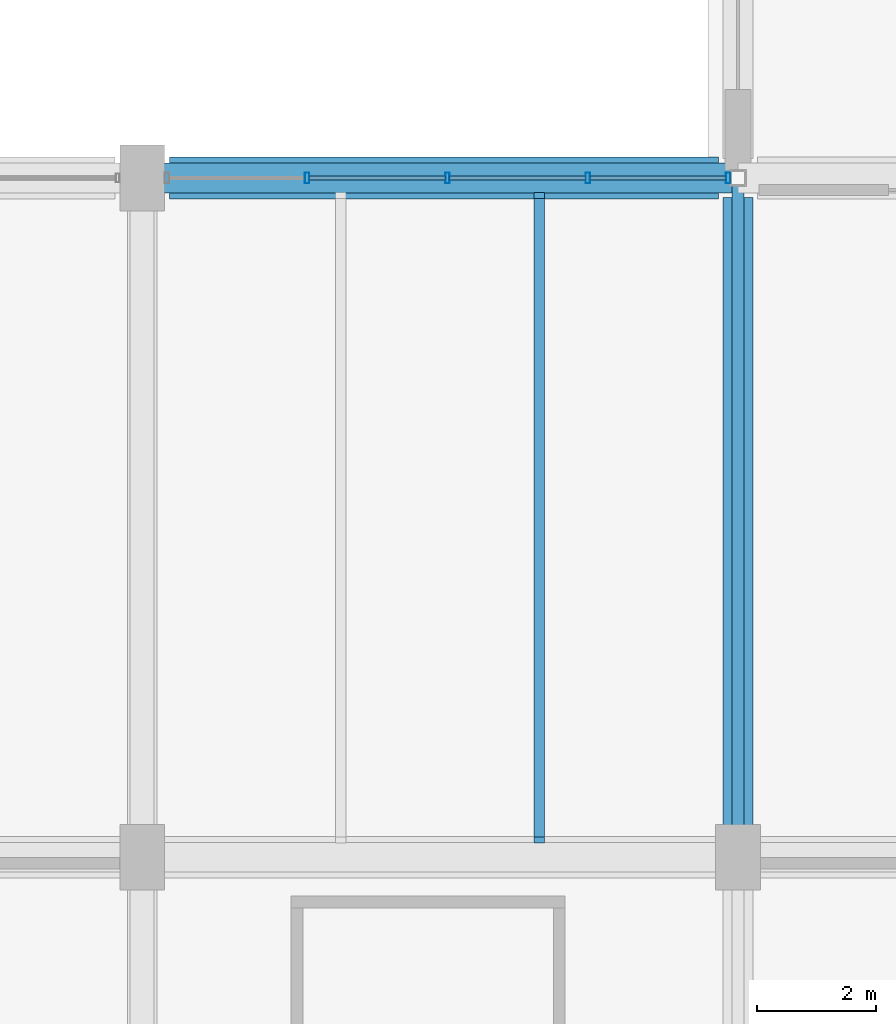
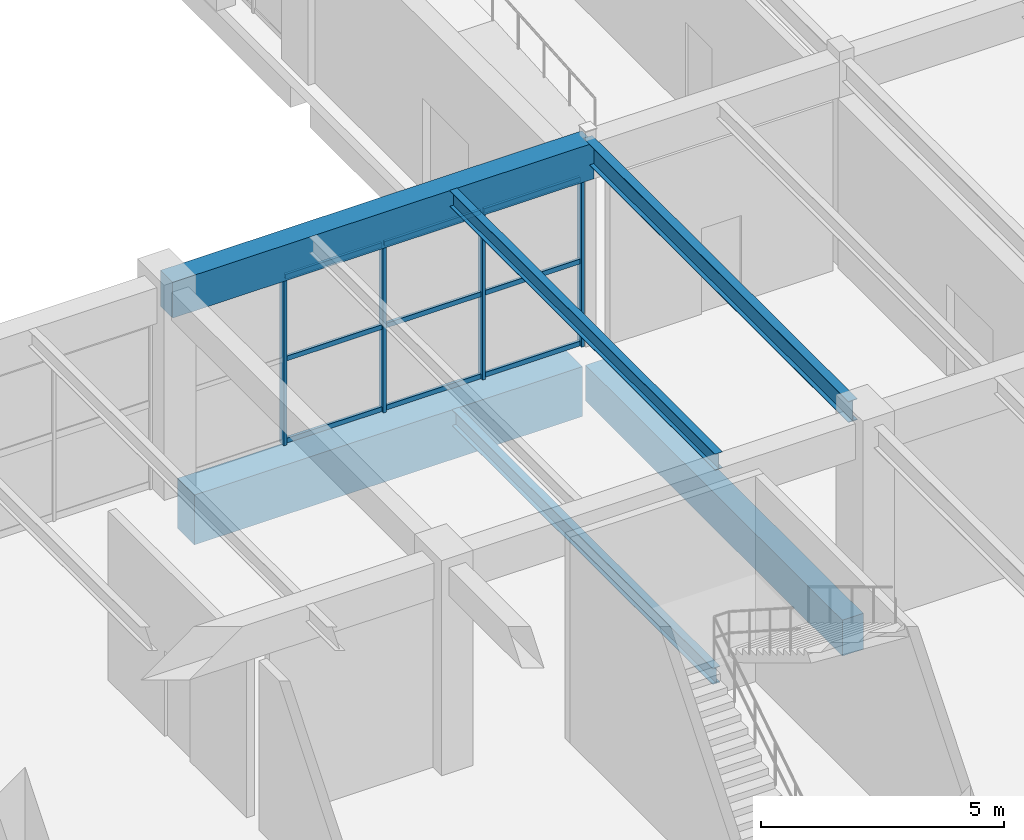
# One storey, part 42 of 113: 13 members, 6 beams, 1 element without a shape of its own.
"""IFC4 building model written with IfcOpenShell, lengths in metres."""

from ifc_helpers import new_model, si_unit, direction, frame, origin, origin_2d, place, context, subcontext, project, spatial, rectangle, hollow_rectangle, i_section, extrude, material, layer, layer_set, material_profile, profile_set, type_object, element, aggregate, save


model = new_model("IFC4")

# Units and contexts
model_context = context("Model", 3, precision=1e-05, world=origin(), true_north=direction((0.0, 1.0)))
body_context = subcontext(model_context, "Body", "Model", "MODEL_VIEW")
ifc_project = project(units=[si_unit("LENGTHUNIT", "METRE"), si_unit("AREAUNIT", "SQUARE_METRE"), si_unit("VOLUMEUNIT", "CUBIC_METRE"), si_unit("PLANEANGLEUNIT", "RADIAN"), si_unit("MASSUNIT", "GRAM", prefix="KILO"), si_unit("POWERUNIT", "WATT"), si_unit("THERMODYNAMICTEMPERATUREUNIT", "KELVIN")], contexts=[model_context])

# Site, building, storey
site_placement = place(None, origin())
site = spatial("IfcSite", under=ifc_project, at=site_placement, CompositionType="ELEMENT")
building_placement = place(site_placement, origin())
building = spatial("IfcBuilding", under=site, at=building_placement, Name="Kelmbourne Parkland Aquatics Centre", CompositionType="ELEMENT")
storey_placement = place(building_placement, origin())
storey = spatial("IfcBuildingStorey", under=building, at=storey_placement, Name="L00", CompositionType="ELEMENT", Elevation=0.0)

# Beams
ifc_material_1 = material(Name="Concrete C40/50", Category="concrete")
ifc_material_profile_1 = material_profile(ifc_material_1, rectangle(XDim=0.5, YDim=0.89990234375, at=origin_2d()), Name="RC 500x900")
ifc_profile_set_1 = profile_set([ifc_material_profile_1], Name="Concrete C40/50")
beam_type_1 = type_object("IfcBeamType", Name="BM-G03", PredefinedType="BEAM", material=ifc_profile_set_1)
beam_1_placement = place(storey_placement, frame((96.0, 12.705078125, -0.72998046875), z_axis=(0.0, 1.0, 0.0), x_axis=(-1.0, 0.0, 0.0)))
element("IfcBeam", 1, at=beam_1_placement, inside=storey, type_object=beam_type_1, Name="Primary girder 03-04 Grid L (L00)", PredefinedType="BEAM", context=body_context, shape_type="SweptSolid", body=[
    extrude(rectangle(XDim=0.5, YDim=0.89990234375, at=origin_2d()), origin(), (0.0, 0.0, 1.0), 10.56494140625),
])
beam_2_placement = place(storey_placement, frame((86.0, 23.60009765625, 4.7099609375), z_axis=(1.0, 0.0, 0.0), x_axis=(0.0, 1.0, 0.0)))
element("IfcBeam", 2, at=beam_2_placement, inside=storey, type_object=beam_type_1, Name="Primary girder K-L Grid 04 (L01)", PredefinedType="BEAM", context=body_context, shape_type="SweptSolid", body=[
    extrude(rectangle(XDim=0.5, YDim=0.89990234375, at=origin_2d()), origin(), (0.0, 0.0, 1.0), 10.0),
])
ifc_material_2 = material(Name="Concrete C50/60", Category="concrete")
ifc_material_profile_2 = material_profile(ifc_material_2, rectangle(XDim=0.699951171875, YDim=1.25, at=origin_2d()), Name="RC 700x1250")
ifc_profile_set_2 = profile_set([ifc_material_profile_2], Name="Concrete C50/60")
beam_type_2 = type_object("IfcBeamType", Name="BM-G08", PredefinedType="BEAM", material=ifc_profile_set_2)
beam_3_placement = place(storey_placement, frame((86.455078125, 23.60009765625, -0.905029296875), z_axis=(1.0, 0.0, 0.0), x_axis=(0.0, 1.0, 0.0)))
element("IfcBeam", 3, at=beam_3_placement, inside=storey, type_object=beam_type_2, Name="Primary girder K-L Grid 04 (L00)", PredefinedType="BEAM", context=body_context, shape_type="SweptSolid", body=[
    extrude(rectangle(XDim=0.699951171875, YDim=1.25, at=origin_2d()), origin(), (0.0, 0.0, 1.0), 9.21484375),
])
ifc_material_3 = material(Name="Structural steel AS/NZS 3679.1 Grade 300", Category="steel")
ifc_material_profile_3 = material_profile(ifc_material_3, i_section(OverallWidth=0.177978515625, OverallDepth=0.406005859375, WebThickness=0.0078125, FlangeThickness=0.0126953125, at=origin_2d()), Name="410UB59.7")
ifc_profile_set_3 = profile_set([ifc_material_profile_3], Name="Structural steel AS/NZS 3679.1 Grade 300")
beam_type_3 = type_object("IfcBeamType", Name="BM-J01", PredefinedType="JOIST", material=ifc_profile_set_3)
beam_4_placement = place(storey_placement, frame((92.666748046875, 12.5419921875, -0.48291015625), z_axis=(0.0, 1.0, 0.0), x_axis=(-1.0, 0.0, 0.0)))
element("IfcBeam", 4, at=beam_4_placement, inside=storey, type_object=beam_type_3, Name="Secondary floor joist K-L/03-04 #2 (L00)", PredefinedType="JOIST", context=body_context, shape_type="SweptSolid", body=[
    extrude(i_section(OverallWidth=0.177978515625, OverallDepth=0.406005859375, WebThickness=0.0078125, FlangeThickness=0.0126953125, at=origin_2d()), origin(), (0.0, 0.0, 1.0), 10.716064453125),
])
beam_5_placement = place(storey_placement, frame((92.666748046875, 12.44189453125, 4.95703125), z_axis=(0.0, 1.0, 0.0), x_axis=(-1.0, 0.0, 0.0)))
element("IfcBeam", 5, at=beam_5_placement, inside=storey, type_object=beam_type_3, Name="Secondary floor joist K-L/03-04 #2 (L01)", PredefinedType="JOIST", context=body_context, shape_type="SweptSolid", body=[
    extrude(i_section(OverallWidth=0.177978515625, OverallDepth=0.406005859375, WebThickness=0.0078125, FlangeThickness=0.0126953125, at=origin_2d()), origin(), (0.0, 0.0, 1.0), 10.916015625),
])
ifc_material_profile_4 = material_profile(ifc_material_3, i_section(OverallWidth=0.208984375, OverallDepth=0.532958984375, WebThickness=0.01025390625, FlangeThickness=0.015625, at=origin_2d()), Name="530UB92.4")
ifc_profile_set_4 = profile_set([ifc_material_profile_4], Name="Structural steel AS/NZS 3679.1 Grade 300")
beam_type_4 = type_object("IfcBeamType", Name="BM-SP02", PredefinedType="SPANDREL", material=ifc_profile_set_4)
beam_6_placement = place(storey_placement, frame((96.0, 12.705078125, 4.8935546875), z_axis=(0.0, 1.0, 0.0), x_axis=(-1.0, 0.0, 0.0)))
element("IfcBeam", 6, at=beam_6_placement, inside=storey, type_object=beam_type_4, Name="Perimeter spandrel 03-04 Grid L (L01)", PredefinedType="SPANDREL", context=body_context, shape_type="SweptSolid", body=[
    extrude(i_section(OverallWidth=0.208984375, OverallDepth=0.532958984375, WebThickness=0.01025390625, FlangeThickness=0.015625, at=origin_2d()), origin(), (0.0, 0.0, 1.0), 10.89501953125),
])

# Curtain wall, members
ifc_material_4 = material(Name="Thermally broken anodised aluminium framing", Category="aluminium")
ifc_layer = layer(ifc_material_4, 0.179931640625)
ifc_layer_set = layer_set([ifc_layer], Name="Thermally broken anodised aluminium framing")
curtain_wall_type = type_object("IfcCurtainWallType", Name="CW-03", PredefinedType="NOTDEFINED", material=ifc_layer_set)
curtain_wall_placement = place(storey_placement, origin())
curtain_wall = element("IfcCurtainWall", 7, at=curtain_wall_placement, inside=storey, type_object=curtain_wall_type, Name="Facade curtain wall CW-L00-171", PredefinedType="NOTDEFINED")
ifc_material_profile_5 = material_profile(ifc_material_4, hollow_rectangle(XDim=0.074951171875, YDim=0.179931640625, WallThickness=0.00439453125, at=origin_2d()), Name="CW-M 75x180")
ifc_profile_set_5 = profile_set([ifc_material_profile_5], Name="Thermally broken anodised aluminium framing")
member_type_1 = type_object("IfcMemberType", Name="MB-MUL-2", PredefinedType="MULLION", material=ifc_profile_set_5)
member_1_placement = place(storey_placement, frame((88.769775390625, 23.60009765625, 0.0), z_axis=(0.0, 0.0, 1.0), x_axis=(1.0, 0.0, 0.0)))
member_1 = element("IfcMember", 8, at=member_1_placement, type_object=member_type_1, Name="CW-L00-171 mullion 1", PredefinedType="MULLION", context=body_context, shape_type="SweptSolid", body=[
    extrude(hollow_rectangle(XDim=0.074951171875, YDim=0.179931640625, WallThickness=0.00439453125, at=origin_2d()), origin(), (0.0, 0.0, 1.0), 4.2451171875),
])
member_2_placement = place(storey_placement, frame((91.125, 23.60009765625, 0.0), z_axis=(0.0, 0.0, 1.0), x_axis=(1.0, 0.0, 0.0)))
member_2 = element("IfcMember", 9, at=member_2_placement, type_object=member_type_1, Name="CW-L00-171 mullion 2", PredefinedType="MULLION", context=body_context, shape_type="SweptSolid", body=[
    extrude(hollow_rectangle(XDim=0.074951171875, YDim=0.179931640625, WallThickness=0.00439453125, at=origin_2d()), origin(), (0.0, 0.0, 1.0), 4.2451171875),
])
member_3_placement = place(storey_placement, frame((93.480224609375, 23.60009765625, 0.0), z_axis=(0.0, 0.0, 1.0), x_axis=(1.0, 0.0, 0.0)))
member_3 = element("IfcMember", 10, at=member_3_placement, type_object=member_type_1, Name="CW-L00-171 mullion 3", PredefinedType="MULLION", context=body_context, shape_type="SweptSolid", body=[
    extrude(hollow_rectangle(XDim=0.074951171875, YDim=0.179931640625, WallThickness=0.00439453125, at=origin_2d()), origin(), (0.0, 0.0, 1.0), 4.2451171875),
])
member_4_placement = place(storey_placement, frame((95.83544921875, 23.60009765625, 0.0), z_axis=(0.0, 0.0, 1.0), x_axis=(1.0, 0.0, 0.0)))
member_4 = element("IfcMember", 11, at=member_4_placement, type_object=member_type_1, Name="CW-L00-171 mullion 4", PredefinedType="MULLION", context=body_context, shape_type="SweptSolid", body=[
    extrude(hollow_rectangle(XDim=0.074951171875, YDim=0.179931640625, WallThickness=0.00439453125, at=origin_2d()), origin(), (0.0, 0.0, 1.0), 4.2451171875),
])
ifc_material_profile_6 = material_profile(ifc_material_4, hollow_rectangle(XDim=0.06494140625, YDim=0.1201171875, WallThickness=0.00341796875, at=origin_2d()), Name="CW-T 65x120")
ifc_profile_set_6 = profile_set([ifc_material_profile_6], Name="Thermally broken anodised aluminium framing")
member_type_2 = type_object("IfcMemberType", Name="MB-TRN-1", PredefinedType="USERDEFINED", material=ifc_profile_set_6)
member_5_placement = place(storey_placement, frame((88.80322265625, 23.60009765625, 0.06298828125), z_axis=(1.0, 0.0, 0.0), x_axis=(0.0, 1.0, 0.0)))
member_5 = element("IfcMember", 12, at=member_5_placement, type_object=member_type_2, Name="CW-L00-171 transom 0-1", ObjectType="TRANSOM", PredefinedType="USERDEFINED", context=body_context, shape_type="SweptSolid", body=[
    extrude(hollow_rectangle(XDim=0.06494140625, YDim=0.1201171875, WallThickness=0.00341796875, at=origin_2d()), origin(), (0.0, 0.0, 1.0), 2.288330078125),
])
member_6_placement = place(storey_placement, frame((91.158447265625, 23.60009765625, 0.06298828125), z_axis=(1.0, 0.0, 0.0), x_axis=(0.0, 1.0, 0.0)))
member_6 = element("IfcMember", 13, at=member_6_placement, type_object=member_type_2, Name="CW-L00-171 transom 0-2", ObjectType="TRANSOM", PredefinedType="USERDEFINED", context=body_context, shape_type="SweptSolid", body=[
    extrude(hollow_rectangle(XDim=0.06494140625, YDim=0.1201171875, WallThickness=0.00341796875, at=origin_2d()), origin(), (0.0, 0.0, 1.0), 2.288330078125),
])
member_7_placement = place(storey_placement, frame((93.513916015625, 23.60009765625, 0.06298828125), z_axis=(1.0, 0.0, 0.0), x_axis=(0.0, 1.0, 0.0)))
member_7 = element("IfcMember", 14, at=member_7_placement, type_object=member_type_2, Name="CW-L00-171 transom 0-3", ObjectType="TRANSOM", PredefinedType="USERDEFINED", context=body_context, shape_type="SweptSolid", body=[
    extrude(hollow_rectangle(XDim=0.06494140625, YDim=0.1201171875, WallThickness=0.00341796875, at=origin_2d()), origin(), (0.0, 0.0, 1.0), 2.2880859375),
])
member_8_placement = place(storey_placement, frame((88.80322265625, 23.60009765625, 2.12255859375), z_axis=(1.0, 0.0, 0.0), x_axis=(0.0, 1.0, 0.0)))
member_8 = element("IfcMember", 15, at=member_8_placement, type_object=member_type_2, Name="CW-L00-171 transom 1-1", ObjectType="TRANSOM", PredefinedType="USERDEFINED", context=body_context, shape_type="SweptSolid", body=[
    extrude(hollow_rectangle(XDim=0.06494140625, YDim=0.1201171875, WallThickness=0.00341796875, at=origin_2d()), origin(), (0.0, 0.0, 1.0), 2.288330078125),
])
member_9_placement = place(storey_placement, frame((91.158447265625, 23.60009765625, 2.12255859375), z_axis=(1.0, 0.0, 0.0), x_axis=(0.0, 1.0, 0.0)))
member_9 = element("IfcMember", 16, at=member_9_placement, type_object=member_type_2, Name="CW-L00-171 transom 1-2", ObjectType="TRANSOM", PredefinedType="USERDEFINED", context=body_context, shape_type="SweptSolid", body=[
    extrude(hollow_rectangle(XDim=0.06494140625, YDim=0.1201171875, WallThickness=0.00341796875, at=origin_2d()), origin(), (0.0, 0.0, 1.0), 2.288330078125),
])
member_10_placement = place(storey_placement, frame((93.513916015625, 23.60009765625, 2.12255859375), z_axis=(1.0, 0.0, 0.0), x_axis=(0.0, 1.0, 0.0)))
member_10 = element("IfcMember", 17, at=member_10_placement, type_object=member_type_2, Name="CW-L00-171 transom 1-3", ObjectType="TRANSOM", PredefinedType="USERDEFINED", context=body_context, shape_type="SweptSolid", body=[
    extrude(hollow_rectangle(XDim=0.06494140625, YDim=0.1201171875, WallThickness=0.00341796875, at=origin_2d()), origin(), (0.0, 0.0, 1.0), 2.2880859375),
])
member_11_placement = place(storey_placement, frame((88.80322265625, 23.60009765625, 4.181884765625), z_axis=(1.0, 0.0, 0.0), x_axis=(0.0, 1.0, 0.0)))
member_11 = element("IfcMember", 18, at=member_11_placement, type_object=member_type_2, Name="CW-L00-171 transom 2-1", ObjectType="TRANSOM", PredefinedType="USERDEFINED", context=body_context, shape_type="SweptSolid", body=[
    extrude(hollow_rectangle(XDim=0.06494140625, YDim=0.1201171875, WallThickness=0.00341796875, at=origin_2d()), origin(), (0.0, 0.0, 1.0), 2.288330078125),
])
member_12_placement = place(storey_placement, frame((91.158447265625, 23.60009765625, 4.181884765625), z_axis=(1.0, 0.0, 0.0), x_axis=(0.0, 1.0, 0.0)))
member_12 = element("IfcMember", 19, at=member_12_placement, type_object=member_type_2, Name="CW-L00-171 transom 2-2", ObjectType="TRANSOM", PredefinedType="USERDEFINED", context=body_context, shape_type="SweptSolid", body=[
    extrude(hollow_rectangle(XDim=0.06494140625, YDim=0.1201171875, WallThickness=0.00341796875, at=origin_2d()), origin(), (0.0, 0.0, 1.0), 2.288330078125),
])
member_13_placement = place(storey_placement, frame((93.513916015625, 23.60009765625, 4.181884765625), z_axis=(1.0, 0.0, 0.0), x_axis=(0.0, 1.0, 0.0)))
member_13 = element("IfcMember", 20, at=member_13_placement, type_object=member_type_2, Name="CW-L00-171 transom 2-3", ObjectType="TRANSOM", PredefinedType="USERDEFINED", context=body_context, shape_type="SweptSolid", body=[
    extrude(hollow_rectangle(XDim=0.06494140625, YDim=0.1201171875, WallThickness=0.00341796875, at=origin_2d()), origin(), (0.0, 0.0, 1.0), 2.2880859375),
])
aggregate(curtain_wall, [member_1, member_2, member_3, member_4, member_5, member_6, member_7, member_8, member_9, member_10, member_11, member_12, member_13])

save(model, "model.ifc")
